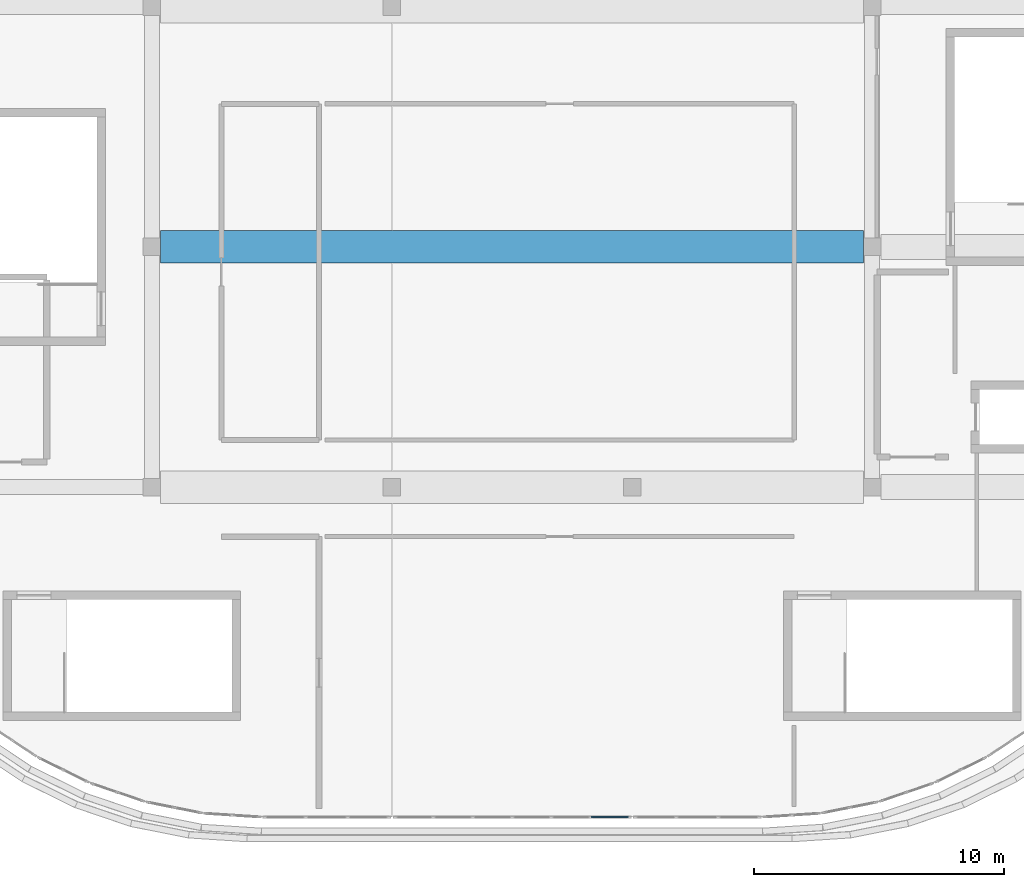
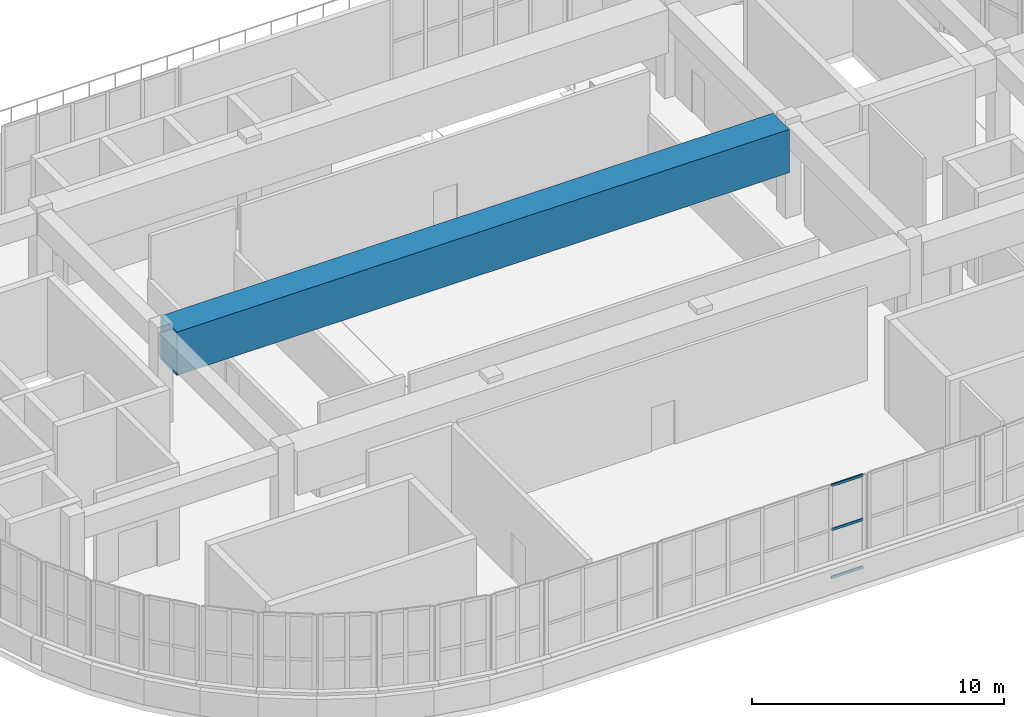
# One storey, part 6 of 23: 3 members, 1 beam, 1 element without a shape of its own.
"""IFC4 building model written with IfcOpenShell, lengths in metres."""

from ifc_helpers import new_model, si_unit, direction, frame, origin, origin_2d, place, context, subcontext, project, spatial, rectangle, extrude, material, layer, layer_set, material_profile, profile_set, type_object, element, aggregate, save


model = new_model("IFC4")

# Units and contexts
model_context = context("Model", 3, precision=1e-05, world=origin(), true_north=direction((0.0, 1.0)))
body_context = subcontext(model_context, "Body", "Model", "MODEL_VIEW")
ifc_project = project(units=[si_unit("LENGTHUNIT", "METRE"), si_unit("AREAUNIT", "SQUARE_METRE"), si_unit("VOLUMEUNIT", "CUBIC_METRE"), si_unit("PLANEANGLEUNIT", "RADIAN"), si_unit("MASSUNIT", "GRAM", prefix="KILO")], contexts=[model_context])

# Site, building, storey
site_placement = place(None, origin())
site = spatial("IfcSite", under=ifc_project, at=site_placement, CompositionType="ELEMENT")
building_placement = place(site_placement, origin())
building = spatial("IfcBuilding", under=site, at=building_placement, Name="Cendralis Terraced Arcade", CompositionType="ELEMENT")
storey_placement = place(building_placement, frame((0.0, 0.0, 29.39990234375)))
storey = spatial("IfcBuildingStorey", under=building, at=storey_placement, Name="L06", CompositionType="ELEMENT", Elevation=29.39990234375)

# Beam
ifc_material_1 = material(Name="Concrete f'c 42 MPa", Category="concrete")
ifc_material_profile_1 = material_profile(ifc_material_1, rectangle(XDim=1.300048828125, YDim=2.10009765625, at=origin_2d()), Name="RC-TG-1300x2100", Category="LoadBearing")
ifc_profile_set_1 = profile_set([ifc_material_profile_1], Name="Concrete f'c 42 MPa")
beam_type = type_object("IfcBeamType", Name="BM-TG-1300x2100", PredefinedType="USERDEFINED", material=ifc_profile_set_1)
beam_placement = place(storey_placement, frame((19.550048828125, 28.800048828125, 3.47509765625), z_axis=(1.0, 0.0, 0.0), x_axis=(0.0, 1.0, 0.0)))
element("IfcBeam", 1, at=beam_placement, inside=storey, type_object=beam_type, Name="Atrium Bridge Transfer Girder TG-ATR-RF-D", ObjectType="TRANSFER GIRDER", PredefinedType="USERDEFINED", context=body_context, shape_type="SweptSolid", body=[
    extrude(rectangle(XDim=1.300048828125, YDim=2.10009765625, at=origin_2d()), origin(), (0.0, 0.0, 1.0), 28.099853515625),
])

# Curtain wall, members
ifc_material_2 = material(Name="Anodised aluminium EN AW-6063 T6", Category="aluminium")
ifc_layer = layer(ifc_material_2, 0.159912109375, Name="CW-UNIT-B")
ifc_layer_set = layer_set([ifc_layer], Name="Anodised aluminium EN AW-6063 T6")
curtain_wall_type = type_object("IfcCurtainWallType", Name="CW-UNIT-B", PredefinedType="USERDEFINED", material=ifc_layer_set)
curtain_wall_placement = place(storey_placement, origin())
curtain_wall = element("IfcCurtainWall", 2, at=curtain_wall_placement, inside=storey, type_object=curtain_wall_type, Name="Exterior Unitised Facade CW-L06-0483", ObjectType="UNITISED FACADE", PredefinedType="USERDEFINED")
ifc_material_profile_2 = material_profile(ifc_material_2, rectangle(XDim=0.06005859375, YDim=0.1201171875, at=origin_2d()), Name="ALU-TRN-60x120")
ifc_profile_set_2 = profile_set([ifc_material_profile_2], Name="Anodised aluminium EN AW-6063 T6")
member_type = type_object("IfcMemberType", Name="CW-UNIT-B-TRN", PredefinedType="USERDEFINED", material=ifc_profile_set_2)
member_1_placement = place(storey_placement, frame((38.2451171875, 6.0, 0.030029296875), z_axis=(-1.0, 0.0, 0.0), x_axis=(0.0, -1.0, 0.0)))
member_1 = element("IfcMember", 3, at=member_1_placement, type_object=member_type, Name="CW-U2 transom 1.1", ObjectType="TRANSOM", PredefinedType="USERDEFINED", context=body_context, shape_type="SweptSolid", body=[
    extrude(rectangle(XDim=0.06005859375, YDim=0.1201171875, at=origin_2d()), origin(), (0.0, 0.0, 1.0), 1.47265625),
])
member_2_placement = place(storey_placement, frame((38.2451171875, 6.0, 2.35302734375), z_axis=(-1.0, 0.0, 0.0), x_axis=(0.0, -1.0, 0.0)))
member_2 = element("IfcMember", 4, at=member_2_placement, type_object=member_type, Name="CW-U2 transom 1.2", ObjectType="TRANSOM", PredefinedType="USERDEFINED", context=body_context, shape_type="SweptSolid", body=[
    extrude(rectangle(XDim=0.06005859375, YDim=0.1201171875, at=origin_2d()), origin(), (0.0, 0.0, 1.0), 1.47265625),
])
member_3_placement = place(storey_placement, frame((38.2451171875, 6.0, 4.4951171875), z_axis=(-1.0, 0.0, 0.0), x_axis=(0.0, -1.0, 0.0)))
member_3 = element("IfcMember", 5, at=member_3_placement, type_object=member_type, Name="CW-U2 transom 1.3", ObjectType="TRANSOM", PredefinedType="USERDEFINED", context=body_context, shape_type="SweptSolid", body=[
    extrude(rectangle(XDim=0.06005859375, YDim=0.1201171875, at=origin_2d()), origin(), (0.0, 0.0, 1.0), 1.47265625),
])
aggregate(curtain_wall, [member_1, member_2, member_3])

save(model, "model.ifc")
